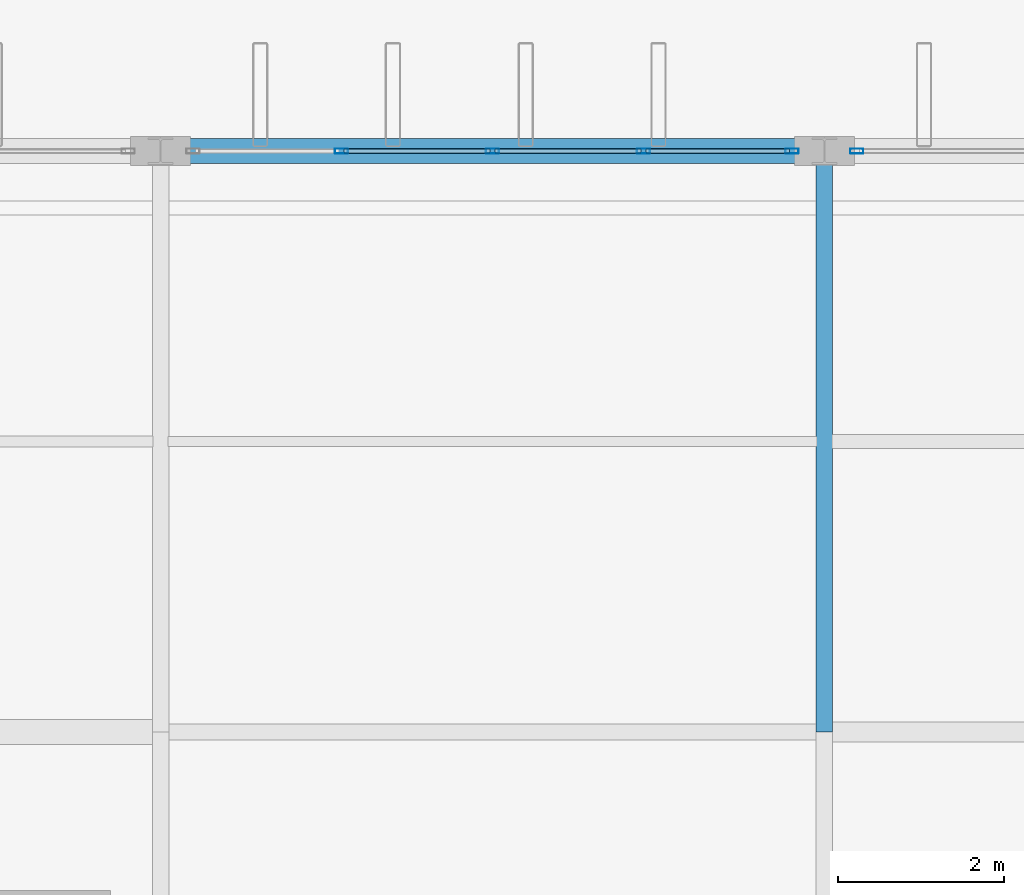
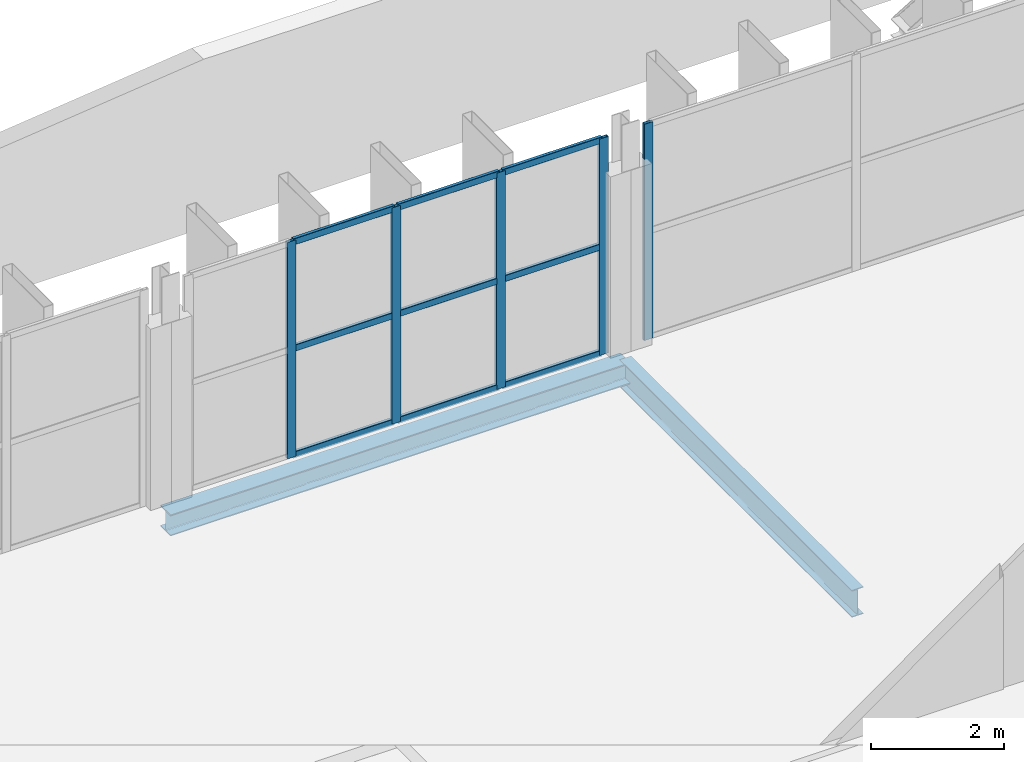
# One storey, part 49 of 93: 14 members, 2 beams, 2 elements without a shape of their own.
"""IFC4 building model written with IfcOpenShell, lengths in metres."""

from ifc_helpers import new_model, si_unit, direction, frame, origin, origin_2d, place, context, subcontext, project, spatial, hollow_rectangle, i_section, extrude, material, layer, layer_set, material_profile, profile_set, type_object, element, aggregate, save


model = new_model("IFC4")

# Units and contexts
model_context = context("Model", 3, precision=1e-05, world=origin(), true_north=direction((0.0, 1.0)))
body_context = subcontext(model_context, "Body", "Model", "MODEL_VIEW")
ifc_project = project(units=[si_unit("LENGTHUNIT", "METRE"), si_unit("AREAUNIT", "SQUARE_METRE"), si_unit("VOLUMEUNIT", "CUBIC_METRE"), si_unit("PLANEANGLEUNIT", "RADIAN"), si_unit("MASSUNIT", "GRAM", prefix="KILO")], contexts=[model_context])

# Site, building, storey
site_placement = place(None, origin())
site = spatial("IfcSite", under=ifc_project, at=site_placement, CompositionType="ELEMENT")
building_placement = place(site_placement, origin())
building = spatial("IfcBuilding", under=site, at=building_placement, Name="Vekula Escarpment Museum", CompositionType="ELEMENT")
storey_placement = place(building_placement, frame((0.0, 0.0, 22.199951171875)))
storey = spatial("IfcBuildingStorey", under=building, at=storey_placement, Name="L05", CompositionType="ELEMENT", Elevation=22.199951171875)

# Beams
ifc_material_1 = material(Name="Steel S355", Category="steel")
ifc_material_profile_1 = material_profile(ifc_material_1, i_section(OverallWidth=0.199951171875, OverallDepth=0.5, WebThickness=0.01025390625, FlangeThickness=0.01611328125, FilletRadius=0.02099609375, at=origin_2d()), Name="IPE 500")
ifc_profile_set_1 = profile_set([ifc_material_profile_1], Name="Steel S355")
beam_type_1 = type_object("IfcBeamType", Name="BM-GIRD-IPE500", PredefinedType="BEAM", material=ifc_profile_set_1)
beam_1_placement = place(storey_placement, frame((102.0, 83.39990234375, -0.469970703125), z_axis=(0.0, 1.0, 0.0), x_axis=(-1.0, 0.0, 0.0)))
element("IfcBeam", 1, at=beam_1_placement, inside=storey, type_object=beam_type_1, Name="Beam Y L05 2141", PredefinedType="BEAM", context=body_context, shape_type="SweptSolid", body=[
    extrude(i_section(OverallWidth=0.199951171875, OverallDepth=0.5, WebThickness=0.01025390625, FlangeThickness=0.01611328125, FilletRadius=0.02099609375, at=origin_2d()), origin(), (0.0, 0.0, 1.0), 7.0),
])
ifc_material_2 = material(Name="Steel S355", Category="steel")
ifc_material_profile_2 = material_profile(ifc_material_2, i_section(OverallWidth=0.300048828125, OverallDepth=0.389892578125, WebThickness=0.010986328125, FlangeThickness=0.01904296875, FilletRadius=0.027099609375, at=origin_2d()), Name="HEA 400")
ifc_profile_set_2 = profile_set([ifc_material_profile_2], Name="Steel S355")
beam_type_2 = type_object("IfcBeamType", Name="BM-SPAN-HEA400", PredefinedType="SPANDREL", material=ifc_profile_set_2)
beam_2_placement = place(storey_placement, frame((94.0, 90.39990234375, -0.4150390625), z_axis=(1.0, 0.0, 0.0), x_axis=(0.0, 1.0, 0.0)))
element("IfcBeam", 2, at=beam_2_placement, inside=storey, type_object=beam_type_2, Name="Beam X L05 2049", PredefinedType="SPANDREL", context=body_context, shape_type="SweptSolid", body=[
    extrude(i_section(OverallWidth=0.300048828125, OverallDepth=0.389892578125, WebThickness=0.010986328125, FlangeThickness=0.01904296875, FilletRadius=0.027099609375, at=origin_2d()), origin(), (0.0, 0.0, 1.0), 8.0),
])

# Curtain wall, member
ifc_material_3 = material(Name="Aluminium thermally broken framing", Category="aluminium")
ifc_layer_1 = layer(ifc_material_3, 0.179931640625)
ifc_layer_set_1 = layer_set([ifc_layer_1], Name="Aluminium thermally broken framing")
curtain_wall_type_1 = type_object("IfcCurtainWallType", Name="CW-SYS-08", PredefinedType="NOTDEFINED", material=ifc_layer_set_1)
curtain_wall_1_placement = place(storey_placement, origin())
curtain_wall_1 = element("IfcCurtainWall", 3, at=curtain_wall_1_placement, inside=storey, type_object=curtain_wall_type_1, Name="Curtain Wall CW-L05-178", PredefinedType="NOTDEFINED")
ifc_material_4 = material(Name="Aluminium anodized mullion", Category="aluminium")
ifc_material_profile_3 = material_profile(ifc_material_4, hollow_rectangle(XDim=0.06005859375, YDim=0.159912109375, WallThickness=0.00390625, InnerFilletRadius=0.00390625, OuterFilletRadius=0.008056640625, at=origin_2d()), Name="ALU 160x60x4")
ifc_profile_set_3 = profile_set([ifc_material_profile_3], Name="Aluminium anodized mullion")
member_type_1 = type_object("IfcMemberType", Name="CW-MUL-160", PredefinedType="MULLION", material=ifc_profile_set_3)
member_1_placement = place(storey_placement, frame((102.389892578125, 90.39990234375, 0.0), z_axis=(0.0, 0.0, 1.0), x_axis=(0.0, -1.0, 0.0)))
member_1 = element("IfcMember", 4, at=member_1_placement, type_object=member_type_1, Name="CW-08 mullion 3", PredefinedType="MULLION", context=body_context, shape_type="SweptSolid", body=[
    extrude(hollow_rectangle(XDim=0.06005859375, YDim=0.159912109375, WallThickness=0.00390625, InnerFilletRadius=0.00390625, OuterFilletRadius=0.008056640625, at=origin_2d()), origin(), (0.0, 0.0, 1.0), 3.97998046875),
])
aggregate(curtain_wall_1, [member_1])

# Curtain wall, members
ifc_material_5 = material(Name="Aluminium thermally broken framing", Category="aluminium")
ifc_layer_2 = layer(ifc_material_5, 0.14990234375)
ifc_layer_set_2 = layer_set([ifc_layer_2], Name="Aluminium thermally broken framing")
curtain_wall_type_2 = type_object("IfcCurtainWallType", Name="CW-SYS-09", PredefinedType="NOTDEFINED", material=ifc_layer_set_2)
curtain_wall_2_placement = place(storey_placement, origin())
curtain_wall_2 = element("IfcCurtainWall", 5, at=curtain_wall_2_placement, inside=storey, type_object=curtain_wall_type_2, Name="Curtain Wall CW-L05-179", PredefinedType="NOTDEFINED")
member_2_placement = place(storey_placement, frame((101.610107421875, 90.39990234375, 0.0), z_axis=(0.0, 0.0, 1.0), x_axis=(0.0, -1.0, 0.0)))
member_2 = element("IfcMember", 6, at=member_2_placement, type_object=member_type_1, Name="CW-09 mullion 1", PredefinedType="MULLION", context=body_context, shape_type="SweptSolid", body=[
    extrude(hollow_rectangle(XDim=0.06005859375, YDim=0.159912109375, WallThickness=0.00390625, InnerFilletRadius=0.00390625, OuterFilletRadius=0.008056640625, at=origin_2d()), origin(), (0.0, 0.0, 1.0), 3.97998046875),
])
member_3_placement = place(storey_placement, frame((99.820068359375, 90.39990234375, 0.0), z_axis=(0.0, 0.0, 1.0), x_axis=(0.0, -1.0, 0.0)))
member_3 = element("IfcMember", 7, at=member_3_placement, type_object=member_type_1, Name="CW-09 mullion 2", PredefinedType="MULLION", context=body_context, shape_type="SweptSolid", body=[
    extrude(hollow_rectangle(XDim=0.06005859375, YDim=0.159912109375, WallThickness=0.00390625, InnerFilletRadius=0.00390625, OuterFilletRadius=0.008056640625, at=origin_2d()), origin(), (0.0, 0.0, 1.0), 3.97998046875),
])
member_4_placement = place(storey_placement, frame((98.0, 90.39990234375, 0.0), z_axis=(0.0, 0.0, 1.0), x_axis=(0.0, -1.0, 0.0)))
member_4 = element("IfcMember", 8, at=member_4_placement, type_object=member_type_1, Name="CW-09 mullion 3", PredefinedType="MULLION", context=body_context, shape_type="SweptSolid", body=[
    extrude(hollow_rectangle(XDim=0.06005859375, YDim=0.159912109375, WallThickness=0.00390625, InnerFilletRadius=0.00390625, OuterFilletRadius=0.008056640625, at=origin_2d()), origin(), (0.0, 0.0, 1.0), 3.97998046875),
])
member_5_placement = place(storey_placement, frame((96.179931640625, 90.39990234375, 0.0), z_axis=(0.0, 0.0, 1.0), x_axis=(0.0, -1.0, 0.0)))
member_5 = element("IfcMember", 9, at=member_5_placement, type_object=member_type_1, Name="CW-09 mullion 4", PredefinedType="MULLION", context=body_context, shape_type="SweptSolid", body=[
    extrude(hollow_rectangle(XDim=0.06005859375, YDim=0.159912109375, WallThickness=0.00390625, InnerFilletRadius=0.00390625, OuterFilletRadius=0.008056640625, at=origin_2d()), origin(), (0.0, 0.0, 1.0), 3.97998046875),
])
ifc_material_6 = material(Name="Aluminium anodized transom", Category="aluminium")
ifc_material_profile_4 = material_profile(ifc_material_6, hollow_rectangle(XDim=0.06005859375, YDim=0.1201171875, WallThickness=0.00390625, InnerFilletRadius=0.00390625, OuterFilletRadius=0.008056640625, at=origin_2d()), Name="ALU 120x60x4")
ifc_profile_set_4 = profile_set([ifc_material_profile_4], Name="Aluminium anodized transom")
member_type_2 = type_object("IfcMemberType", Name="CW-TRN-120", PredefinedType="USERDEFINED", material=ifc_profile_set_4)
member_6_placement = place(storey_placement, frame((101.580078125, 90.39990234375, 0.030029296875), z_axis=(-1.0, 0.0, 0.0), x_axis=(0.0, -1.0, 0.0)))
member_6 = element("IfcMember", 10, at=member_6_placement, type_object=member_type_2, Name="CW-09 transom 1.1", ObjectType="TRANSOM", PredefinedType="USERDEFINED", context=body_context, shape_type="SweptSolid", body=[
    extrude(hollow_rectangle(XDim=0.06005859375, YDim=0.1201171875, WallThickness=0.00390625, InnerFilletRadius=0.00390625, OuterFilletRadius=0.008056640625, at=origin_2d()), origin(), (0.0, 0.0, 1.0), 1.72998046875),
])
member_7_placement = place(storey_placement, frame((101.580078125, 90.39990234375, 1.989990234375), z_axis=(-1.0, 0.0, 0.0), x_axis=(0.0, -1.0, 0.0)))
member_7 = element("IfcMember", 11, at=member_7_placement, type_object=member_type_2, Name="CW-09 transom 1.2", ObjectType="TRANSOM", PredefinedType="USERDEFINED", context=body_context, shape_type="SweptSolid", body=[
    extrude(hollow_rectangle(XDim=0.06005859375, YDim=0.1201171875, WallThickness=0.00390625, InnerFilletRadius=0.00390625, OuterFilletRadius=0.008056640625, at=origin_2d()), origin(), (0.0, 0.0, 1.0), 1.72998046875),
])
member_8_placement = place(storey_placement, frame((101.580078125, 90.39990234375, 3.949951171875), z_axis=(-1.0, 0.0, 0.0), x_axis=(0.0, -1.0, 0.0)))
member_8 = element("IfcMember", 12, at=member_8_placement, type_object=member_type_2, Name="CW-09 transom 1.3", ObjectType="TRANSOM", PredefinedType="USERDEFINED", context=body_context, shape_type="SweptSolid", body=[
    extrude(hollow_rectangle(XDim=0.06005859375, YDim=0.1201171875, WallThickness=0.00390625, InnerFilletRadius=0.00390625, OuterFilletRadius=0.008056640625, at=origin_2d()), origin(), (0.0, 0.0, 1.0), 1.72998046875),
])
member_9_placement = place(storey_placement, frame((99.7900390625, 90.39990234375, 0.030029296875), z_axis=(-1.0, 0.0, 0.0), x_axis=(0.0, -1.0, 0.0)))
member_9 = element("IfcMember", 13, at=member_9_placement, type_object=member_type_2, Name="CW-09 transom 2.1", ObjectType="TRANSOM", PredefinedType="USERDEFINED", context=body_context, shape_type="SweptSolid", body=[
    extrude(hollow_rectangle(XDim=0.06005859375, YDim=0.1201171875, WallThickness=0.00390625, InnerFilletRadius=0.00390625, OuterFilletRadius=0.008056640625, at=origin_2d()), origin(), (0.0, 0.0, 1.0), 1.760009765625),
])
member_10_placement = place(storey_placement, frame((99.7900390625, 90.39990234375, 1.989990234375), z_axis=(-1.0, 0.0, 0.0), x_axis=(0.0, -1.0, 0.0)))
member_10 = element("IfcMember", 14, at=member_10_placement, type_object=member_type_2, Name="CW-09 transom 2.2", ObjectType="TRANSOM", PredefinedType="USERDEFINED", context=body_context, shape_type="SweptSolid", body=[
    extrude(hollow_rectangle(XDim=0.06005859375, YDim=0.1201171875, WallThickness=0.00390625, InnerFilletRadius=0.00390625, OuterFilletRadius=0.008056640625, at=origin_2d()), origin(), (0.0, 0.0, 1.0), 1.760009765625),
])
member_11_placement = place(storey_placement, frame((99.7900390625, 90.39990234375, 3.949951171875), z_axis=(-1.0, 0.0, 0.0), x_axis=(0.0, -1.0, 0.0)))
member_11 = element("IfcMember", 15, at=member_11_placement, type_object=member_type_2, Name="CW-09 transom 2.3", ObjectType="TRANSOM", PredefinedType="USERDEFINED", context=body_context, shape_type="SweptSolid", body=[
    extrude(hollow_rectangle(XDim=0.06005859375, YDim=0.1201171875, WallThickness=0.00390625, InnerFilletRadius=0.00390625, OuterFilletRadius=0.008056640625, at=origin_2d()), origin(), (0.0, 0.0, 1.0), 1.760009765625),
])
member_12_placement = place(storey_placement, frame((97.969970703125, 90.39990234375, 0.030029296875), z_axis=(-1.0, 0.0, 0.0), x_axis=(0.0, -1.0, 0.0)))
member_12 = element("IfcMember", 16, at=member_12_placement, type_object=member_type_2, Name="CW-09 transom 3.1", ObjectType="TRANSOM", PredefinedType="USERDEFINED", context=body_context, shape_type="SweptSolid", body=[
    extrude(hollow_rectangle(XDim=0.06005859375, YDim=0.1201171875, WallThickness=0.00390625, InnerFilletRadius=0.00390625, OuterFilletRadius=0.008056640625, at=origin_2d()), origin(), (0.0, 0.0, 1.0), 1.760009765625),
])
member_13_placement = place(storey_placement, frame((97.969970703125, 90.39990234375, 1.989990234375), z_axis=(-1.0, 0.0, 0.0), x_axis=(0.0, -1.0, 0.0)))
member_13 = element("IfcMember", 17, at=member_13_placement, type_object=member_type_2, Name="CW-09 transom 3.2", ObjectType="TRANSOM", PredefinedType="USERDEFINED", context=body_context, shape_type="SweptSolid", body=[
    extrude(hollow_rectangle(XDim=0.06005859375, YDim=0.1201171875, WallThickness=0.00390625, InnerFilletRadius=0.00390625, OuterFilletRadius=0.008056640625, at=origin_2d()), origin(), (0.0, 0.0, 1.0), 1.760009765625),
])
member_14_placement = place(storey_placement, frame((97.969970703125, 90.39990234375, 3.949951171875), z_axis=(-1.0, 0.0, 0.0), x_axis=(0.0, -1.0, 0.0)))
member_14 = element("IfcMember", 18, at=member_14_placement, type_object=member_type_2, Name="CW-09 transom 3.3", ObjectType="TRANSOM", PredefinedType="USERDEFINED", context=body_context, shape_type="SweptSolid", body=[
    extrude(hollow_rectangle(XDim=0.06005859375, YDim=0.1201171875, WallThickness=0.00390625, InnerFilletRadius=0.00390625, OuterFilletRadius=0.008056640625, at=origin_2d()), origin(), (0.0, 0.0, 1.0), 1.760009765625),
])
aggregate(curtain_wall_2, [member_2, member_3, member_4, member_5, member_6, member_7, member_8, member_9, member_10, member_11, member_12, member_13, member_14])

save(model, "model.ifc")
